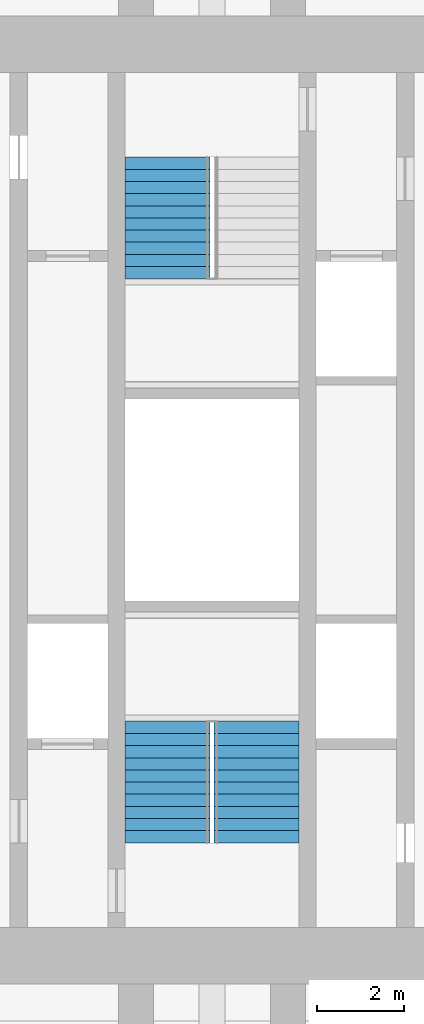
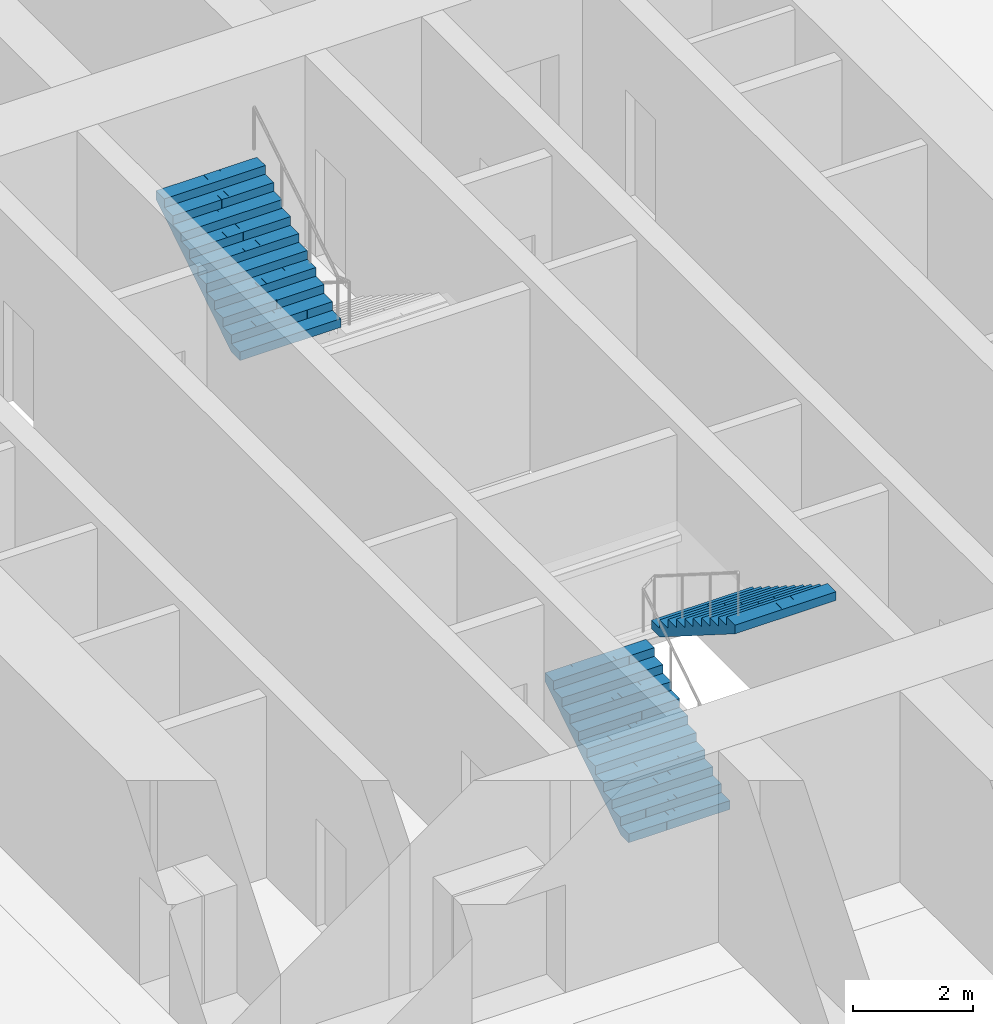
# One storey, part 20 of 22: 3 stair flights, 2 elements without a shape of their own.
"""IFC4 building model written with IfcOpenShell, lengths in metres."""

from ifc_helpers import new_model, si_unit, direction, frame, origin, place, context, subcontext, project, spatial, polyline, outline, extrude, material, type_object, element, aggregate, save


model = new_model("IFC4")

# Units and contexts
model_context = context("Model", 3, precision=1e-05, world=origin(), true_north=direction((0.0, 1.0)))
body_context = subcontext(model_context, "Body", "Model", "MODEL_VIEW")
ifc_project = project(units=[si_unit("LENGTHUNIT", "METRE"), si_unit("AREAUNIT", "SQUARE_METRE"), si_unit("VOLUMEUNIT", "CUBIC_METRE"), si_unit("PLANEANGLEUNIT", "RADIAN"), si_unit("MASSUNIT", "GRAM", prefix="KILO")], contexts=[model_context])

# Site, building, storey
site_placement = place(None, origin())
site = spatial("IfcSite", under=ifc_project, at=site_placement, CompositionType="ELEMENT")
building_placement = place(site_placement, origin())
building = spatial("IfcBuilding", under=site, at=building_placement, Name="Mizan Broadcast Tower", CompositionType="ELEMENT")
storey_placement = place(building_placement, frame((0.0, 0.0, 74.699951171875)))
storey = spatial("IfcBuildingStorey", under=building, at=storey_placement, Name="L15", CompositionType="ELEMENT", Elevation=74.699951171875)

# Stair, stair flights
ifc_material_1 = material(Name="Concrete C40/50", Category="concrete")
stair_type = type_object("IfcStairType", Name="EXIT STAIR", PredefinedType="HALF_TURN_STAIR", material=ifc_material_1)
stair_1_placement = place(storey_placement, origin())
stair_1 = element("IfcStair", 1, at=stair_1_placement, inside=storey, type_object=stair_type, Name="Stair A L15", PredefinedType="HALF_TURN_STAIR")
ifc_material_2 = material(Name="Concrete C40/50", Category="concrete")
stair_flight_type = type_object("IfcStairFlightType", Name="EXIT STAIR FLIGHT", PredefinedType="STRAIGHT", material=ifc_material_2)
stair_flight_1_placement = place(storey_placement, frame((-1.02490234375, -7.89990234375, 0.0), z_axis=(0.0, 0.0, 1.0), x_axis=(0.0, 1.0, 0.0)))
stair_flight_1 = element("IfcStairFlight", 2, at=stair_flight_1_placement, type_object=stair_flight_type, Name="A flight 1", NumberOfRisers=11, NumberOfTreads=10, PredefinedType="STRAIGHT", RiserHeight=0.177272727, TreadLength=0.28, context=body_context, shape_type="SweptSolid", body=[
    extrude(outline(polyline([(0.0, 0.0), (0.0, 0.17724609375), (0.280029296875, 0.17724609375), (0.280029296875, 0.3544921875), (0.56005859375, 0.3544921875), (0.56005859375, 0.53173828125), (0.840087890625, 0.53173828125), (0.840087890625, 0.708984375), (1.1201171875, 0.708984375), (1.1201171875, 0.886474609375), (1.39990234375, 0.886474609375), (1.39990234375, 1.063720703125), (1.679931640625, 1.063720703125), (1.679931640625, 1.240966796875), (1.9599609375, 1.240966796875), (1.9599609375, 1.418212890625), (2.239990234375, 1.418212890625), (2.239990234375, 1.595458984375), (2.52001953125, 1.595458984375), (2.52001953125, 1.772705078125), (2.800048828125, 1.772705078125), (2.800048828125, 1.949951171875), (2.800048828125, 1.59521484375), (0.2802734375, 0.0), (0.0, 0.0)])), frame((0.0, 0.97509765625, 0.0), z_axis=(0.0, -1.0, 0.0), x_axis=(1.0, 0.0, 0.0)), (0.0, 0.0, 1.0), 0.4873046875),
    extrude(outline(polyline([(0.0, 0.0), (0.0, 0.17724609375), (0.280029296875, 0.17724609375), (0.280029296875, 0.3544921875), (0.56005859375, 0.3544921875), (0.56005859375, 0.53173828125), (0.840087890625, 0.53173828125), (0.840087890625, 0.708984375), (1.1201171875, 0.708984375), (1.1201171875, 0.886474609375), (1.39990234375, 0.886474609375), (1.39990234375, 1.063720703125), (1.679931640625, 1.063720703125), (1.679931640625, 1.240966796875), (1.9599609375, 1.240966796875), (1.9599609375, 1.418212890625), (2.239990234375, 1.418212890625), (2.239990234375, 1.595458984375), (2.52001953125, 1.595458984375), (2.52001953125, 1.772705078125), (2.800048828125, 1.772705078125), (2.800048828125, 1.949951171875), (2.800048828125, 1.59521484375), (0.2802734375, 0.0), (0.0, 0.0)])), frame((0.0, 0.4873046875, 0.0), z_axis=(0.0, -1.0, 0.0), x_axis=(1.0, 0.0, 0.0)), (0.0, 0.0, 1.0), 0.2431640625),
    extrude(outline(polyline([(0.0, 0.0), (0.0, 0.17724609375), (0.280029296875, 0.17724609375), (0.280029296875, 0.3544921875), (0.56005859375, 0.3544921875), (0.56005859375, 0.53173828125), (0.840087890625, 0.53173828125), (0.840087890625, 0.708984375), (1.1201171875, 0.708984375), (1.1201171875, 0.886474609375), (1.39990234375, 0.886474609375), (1.39990234375, 1.063720703125), (1.679931640625, 1.063720703125), (1.679931640625, 1.240966796875), (1.9599609375, 1.240966796875), (1.9599609375, 1.418212890625), (2.239990234375, 1.418212890625), (2.239990234375, 1.595458984375), (2.52001953125, 1.595458984375), (2.52001953125, 1.772705078125), (2.800048828125, 1.772705078125), (2.800048828125, 1.949951171875), (2.800048828125, 1.59521484375), (0.2802734375, 0.0), (0.0, 0.0)])), frame((0.0, 0.24365234375, 0.0), z_axis=(0.0, -1.0, 0.0), x_axis=(1.0, 0.0, 0.0)), (0.0, 0.0, 1.0), 0.121337890625),
    extrude(outline(polyline([(0.0, 0.0), (0.0, 0.17724609375), (0.280029296875, 0.17724609375), (0.280029296875, 0.3544921875), (0.56005859375, 0.3544921875), (0.56005859375, 0.53173828125), (0.840087890625, 0.53173828125), (0.840087890625, 0.708984375), (1.1201171875, 0.708984375), (1.1201171875, 0.886474609375), (1.39990234375, 0.886474609375), (1.39990234375, 1.063720703125), (1.679931640625, 1.063720703125), (1.679931640625, 1.240966796875), (1.9599609375, 1.240966796875), (1.9599609375, 1.418212890625), (2.239990234375, 1.418212890625), (2.239990234375, 1.595458984375), (2.52001953125, 1.595458984375), (2.52001953125, 1.772705078125), (2.800048828125, 1.772705078125), (2.800048828125, 1.949951171875), (2.800048828125, 1.59521484375), (0.2802734375, 0.0), (0.0, 0.0)])), frame((0.0, 0.121826171875, 0.0), z_axis=(0.0, -1.0, 0.0), x_axis=(1.0, 0.0, 0.0)), (0.0, 0.0, 1.0), 0.060546875),
    extrude(outline(polyline([(0.0, 0.0), (0.0, 0.17724609375), (0.280029296875, 0.17724609375), (0.280029296875, 0.3544921875), (0.56005859375, 0.3544921875), (0.56005859375, 0.53173828125), (0.840087890625, 0.53173828125), (0.840087890625, 0.708984375), (1.1201171875, 0.708984375), (1.1201171875, 0.886474609375), (1.39990234375, 0.886474609375), (1.39990234375, 1.063720703125), (1.679931640625, 1.063720703125), (1.679931640625, 1.240966796875), (1.9599609375, 1.240966796875), (1.9599609375, 1.418212890625), (2.239990234375, 1.418212890625), (2.239990234375, 1.595458984375), (2.52001953125, 1.595458984375), (2.52001953125, 1.772705078125), (2.800048828125, 1.772705078125), (2.800048828125, 1.949951171875), (2.800048828125, 1.59521484375), (0.2802734375, 0.0), (0.0, 0.0)])), frame((0.0, 0.060791015625, 0.0), z_axis=(0.0, -1.0, 0.0), x_axis=(1.0, 0.0, 0.0)), (0.0, 0.0, 1.0), 0.030029296875),
    extrude(outline(polyline([(0.0, 0.0), (0.0, 0.17724609375), (0.280029296875, 0.17724609375), (0.280029296875, 0.3544921875), (0.56005859375, 0.3544921875), (0.56005859375, 0.53173828125), (0.840087890625, 0.53173828125), (0.840087890625, 0.708984375), (1.1201171875, 0.708984375), (1.1201171875, 0.886474609375), (1.39990234375, 0.886474609375), (1.39990234375, 1.063720703125), (1.679931640625, 1.063720703125), (1.679931640625, 1.240966796875), (1.9599609375, 1.240966796875), (1.9599609375, 1.418212890625), (2.239990234375, 1.418212890625), (2.239990234375, 1.595458984375), (2.52001953125, 1.595458984375), (2.52001953125, 1.772705078125), (2.800048828125, 1.772705078125), (2.800048828125, 1.949951171875), (2.800048828125, 1.59521484375), (0.2802734375, 0.0), (0.0, 0.0)])), frame((0.0, 0.0302734375, 0.0), z_axis=(0.0, -1.0, 0.0), x_axis=(1.0, 0.0, 0.0)), (0.0, 0.0, 1.0), 0.060302734375),
    extrude(outline(polyline([(0.0, 0.0), (0.0, 0.17724609375), (0.280029296875, 0.17724609375), (0.280029296875, 0.3544921875), (0.56005859375, 0.3544921875), (0.56005859375, 0.53173828125), (0.840087890625, 0.53173828125), (0.840087890625, 0.708984375), (1.1201171875, 0.708984375), (1.1201171875, 0.886474609375), (1.39990234375, 0.886474609375), (1.39990234375, 1.063720703125), (1.679931640625, 1.063720703125), (1.679931640625, 1.240966796875), (1.9599609375, 1.240966796875), (1.9599609375, 1.418212890625), (2.239990234375, 1.418212890625), (2.239990234375, 1.595458984375), (2.52001953125, 1.595458984375), (2.52001953125, 1.772705078125), (2.800048828125, 1.772705078125), (2.800048828125, 1.949951171875), (2.800048828125, 1.59521484375), (0.2802734375, 0.0), (0.0, 0.0)])), frame((0.0, -0.030517578125, 0.0), z_axis=(0.0, -1.0, 0.0), x_axis=(1.0, 0.0, 0.0)), (0.0, 0.0, 1.0), 0.030029296875),
    extrude(outline(polyline([(0.0, 0.0), (0.0, 0.17724609375), (0.280029296875, 0.17724609375), (0.280029296875, 0.3544921875), (0.56005859375, 0.3544921875), (0.56005859375, 0.53173828125), (0.840087890625, 0.53173828125), (0.840087890625, 0.708984375), (1.1201171875, 0.708984375), (1.1201171875, 0.886474609375), (1.39990234375, 0.886474609375), (1.39990234375, 1.063720703125), (1.679931640625, 1.063720703125), (1.679931640625, 1.240966796875), (1.9599609375, 1.240966796875), (1.9599609375, 1.418212890625), (2.239990234375, 1.418212890625), (2.239990234375, 1.595458984375), (2.52001953125, 1.595458984375), (2.52001953125, 1.772705078125), (2.800048828125, 1.772705078125), (2.800048828125, 1.949951171875), (2.800048828125, 1.59521484375), (0.2802734375, 0.0), (0.0, 0.0)])), frame((0.0, -0.06103515625, 0.0), z_axis=(0.0, -1.0, 0.0), x_axis=(1.0, 0.0, 0.0)), (0.0, 0.0, 1.0), 0.060546875),
    extrude(outline(polyline([(0.0, 0.0), (0.0, 0.17724609375), (0.280029296875, 0.17724609375), (0.280029296875, 0.3544921875), (0.56005859375, 0.3544921875), (0.56005859375, 0.53173828125), (0.840087890625, 0.53173828125), (0.840087890625, 0.708984375), (1.1201171875, 0.708984375), (1.1201171875, 0.886474609375), (1.39990234375, 0.886474609375), (1.39990234375, 1.063720703125), (1.679931640625, 1.063720703125), (1.679931640625, 1.240966796875), (1.9599609375, 1.240966796875), (1.9599609375, 1.418212890625), (2.239990234375, 1.418212890625), (2.239990234375, 1.595458984375), (2.52001953125, 1.595458984375), (2.52001953125, 1.772705078125), (2.800048828125, 1.772705078125), (2.800048828125, 1.949951171875), (2.800048828125, 1.59521484375), (0.2802734375, 0.0), (0.0, 0.0)])), frame((0.0, -0.1220703125, 0.0), z_axis=(0.0, -1.0, 0.0), x_axis=(1.0, 0.0, 0.0)), (0.0, 0.0, 1.0), 0.121337890625),
    extrude(outline(polyline([(0.0, 0.0), (0.0, 0.17724609375), (0.280029296875, 0.17724609375), (0.280029296875, 0.3544921875), (0.56005859375, 0.3544921875), (0.56005859375, 0.53173828125), (0.840087890625, 0.53173828125), (0.840087890625, 0.708984375), (1.1201171875, 0.708984375), (1.1201171875, 0.886474609375), (1.39990234375, 0.886474609375), (1.39990234375, 1.063720703125), (1.679931640625, 1.063720703125), (1.679931640625, 1.240966796875), (1.9599609375, 1.240966796875), (1.9599609375, 1.418212890625), (2.239990234375, 1.418212890625), (2.239990234375, 1.595458984375), (2.52001953125, 1.595458984375), (2.52001953125, 1.772705078125), (2.800048828125, 1.772705078125), (2.800048828125, 1.949951171875), (2.800048828125, 1.59521484375), (0.2802734375, 0.0), (0.0, 0.0)])), frame((0.0, -0.243896484375, 0.0), z_axis=(0.0, -1.0, 0.0), x_axis=(1.0, 0.0, 0.0)), (0.0, 0.0, 1.0), 0.2431640625),
    extrude(outline(polyline([(0.0, 0.0), (0.0, 0.17724609375), (0.280029296875, 0.17724609375), (0.280029296875, 0.3544921875), (0.56005859375, 0.3544921875), (0.56005859375, 0.53173828125), (0.840087890625, 0.53173828125), (0.840087890625, 0.708984375), (1.1201171875, 0.708984375), (1.1201171875, 0.886474609375), (1.39990234375, 0.886474609375), (1.39990234375, 1.063720703125), (1.679931640625, 1.063720703125), (1.679931640625, 1.240966796875), (1.9599609375, 1.240966796875), (1.9599609375, 1.418212890625), (2.239990234375, 1.418212890625), (2.239990234375, 1.595458984375), (2.52001953125, 1.595458984375), (2.52001953125, 1.772705078125), (2.800048828125, 1.772705078125), (2.800048828125, 1.949951171875), (2.800048828125, 1.59521484375), (0.2802734375, 0.0), (0.0, 0.0)])), frame((0.0, -0.487548828125, 0.0), z_axis=(0.0, -1.0, 0.0), x_axis=(1.0, 0.0, 0.0)), (0.0, 0.0, 1.0), 0.4873046875),
])
stair_flight_2_placement = place(storey_placement, frame((1.02490234375, -5.10009765625, 1.949951171875), z_axis=(0.0, 0.0, 1.0), x_axis=(0.0, -1.0, 0.0)))
stair_flight_2 = element("IfcStairFlight", 3, at=stair_flight_2_placement, type_object=stair_flight_type, Name="A flight 2", NumberOfRisers=11, NumberOfTreads=10, PredefinedType="STRAIGHT", RiserHeight=0.177272727, TreadLength=0.28, context=body_context, shape_type="SweptSolid", body=[
    extrude(outline(polyline([(0.0, 0.0), (0.0, 0.17724609375), (0.280029296875, 0.17724609375), (0.280029296875, 0.3544921875), (0.56005859375, 0.3544921875), (0.56005859375, 0.53173828125), (0.840087890625, 0.53173828125), (0.840087890625, 0.708984375), (1.1201171875, 0.708984375), (1.1201171875, 0.886474609375), (1.39990234375, 0.886474609375), (1.39990234375, 1.063720703125), (1.679931640625, 1.063720703125), (1.679931640625, 1.240966796875), (1.9599609375, 1.240966796875), (1.9599609375, 1.418212890625), (2.239990234375, 1.418212890625), (2.239990234375, 1.595458984375), (2.52001953125, 1.595458984375), (2.52001953125, 1.772705078125), (2.800048828125, 1.772705078125), (2.800048828125, 1.949951171875), (2.800048828125, 1.59521484375), (0.2802734375, 0.0), (0.0, 0.0)])), frame((0.0, 0.97509765625, 0.0), z_axis=(0.0, -1.0, 0.0), x_axis=(1.0, 0.0, 0.0)), (0.0, 0.0, 1.0), 0.4873046875),
    extrude(outline(polyline([(0.0, 0.0), (0.0, 0.17724609375), (0.280029296875, 0.17724609375), (0.280029296875, 0.3544921875), (0.56005859375, 0.3544921875), (0.56005859375, 0.53173828125), (0.840087890625, 0.53173828125), (0.840087890625, 0.708984375), (1.1201171875, 0.708984375), (1.1201171875, 0.886474609375), (1.39990234375, 0.886474609375), (1.39990234375, 1.063720703125), (1.679931640625, 1.063720703125), (1.679931640625, 1.240966796875), (1.9599609375, 1.240966796875), (1.9599609375, 1.418212890625), (2.239990234375, 1.418212890625), (2.239990234375, 1.595458984375), (2.52001953125, 1.595458984375), (2.52001953125, 1.772705078125), (2.800048828125, 1.772705078125), (2.800048828125, 1.949951171875), (2.800048828125, 1.59521484375), (0.2802734375, 0.0), (0.0, 0.0)])), frame((0.0, 0.4873046875, 0.0), z_axis=(0.0, -1.0, 0.0), x_axis=(1.0, 0.0, 0.0)), (0.0, 0.0, 1.0), 0.2431640625),
    extrude(outline(polyline([(0.0, 0.0), (0.0, 0.17724609375), (0.280029296875, 0.17724609375), (0.280029296875, 0.3544921875), (0.56005859375, 0.3544921875), (0.56005859375, 0.53173828125), (0.840087890625, 0.53173828125), (0.840087890625, 0.708984375), (1.1201171875, 0.708984375), (1.1201171875, 0.886474609375), (1.39990234375, 0.886474609375), (1.39990234375, 1.063720703125), (1.679931640625, 1.063720703125), (1.679931640625, 1.240966796875), (1.9599609375, 1.240966796875), (1.9599609375, 1.418212890625), (2.239990234375, 1.418212890625), (2.239990234375, 1.595458984375), (2.52001953125, 1.595458984375), (2.52001953125, 1.772705078125), (2.800048828125, 1.772705078125), (2.800048828125, 1.949951171875), (2.800048828125, 1.59521484375), (0.2802734375, 0.0), (0.0, 0.0)])), frame((0.0, 0.24365234375, 0.0), z_axis=(0.0, -1.0, 0.0), x_axis=(1.0, 0.0, 0.0)), (0.0, 0.0, 1.0), 0.121337890625),
    extrude(outline(polyline([(0.0, 0.0), (0.0, 0.17724609375), (0.280029296875, 0.17724609375), (0.280029296875, 0.3544921875), (0.56005859375, 0.3544921875), (0.56005859375, 0.53173828125), (0.840087890625, 0.53173828125), (0.840087890625, 0.708984375), (1.1201171875, 0.708984375), (1.1201171875, 0.886474609375), (1.39990234375, 0.886474609375), (1.39990234375, 1.063720703125), (1.679931640625, 1.063720703125), (1.679931640625, 1.240966796875), (1.9599609375, 1.240966796875), (1.9599609375, 1.418212890625), (2.239990234375, 1.418212890625), (2.239990234375, 1.595458984375), (2.52001953125, 1.595458984375), (2.52001953125, 1.772705078125), (2.800048828125, 1.772705078125), (2.800048828125, 1.949951171875), (2.800048828125, 1.59521484375), (0.2802734375, 0.0), (0.0, 0.0)])), frame((0.0, 0.121826171875, 0.0), z_axis=(0.0, -1.0, 0.0), x_axis=(1.0, 0.0, 0.0)), (0.0, 0.0, 1.0), 0.060546875),
    extrude(outline(polyline([(0.0, 0.0), (0.0, 0.17724609375), (0.280029296875, 0.17724609375), (0.280029296875, 0.3544921875), (0.56005859375, 0.3544921875), (0.56005859375, 0.53173828125), (0.840087890625, 0.53173828125), (0.840087890625, 0.708984375), (1.1201171875, 0.708984375), (1.1201171875, 0.886474609375), (1.39990234375, 0.886474609375), (1.39990234375, 1.063720703125), (1.679931640625, 1.063720703125), (1.679931640625, 1.240966796875), (1.9599609375, 1.240966796875), (1.9599609375, 1.418212890625), (2.239990234375, 1.418212890625), (2.239990234375, 1.595458984375), (2.52001953125, 1.595458984375), (2.52001953125, 1.772705078125), (2.800048828125, 1.772705078125), (2.800048828125, 1.949951171875), (2.800048828125, 1.59521484375), (0.2802734375, 0.0), (0.0, 0.0)])), frame((0.0, 0.060791015625, 0.0), z_axis=(0.0, -1.0, 0.0), x_axis=(1.0, 0.0, 0.0)), (0.0, 0.0, 1.0), 0.030029296875),
    extrude(outline(polyline([(0.0, 0.0), (0.0, 0.17724609375), (0.280029296875, 0.17724609375), (0.280029296875, 0.3544921875), (0.56005859375, 0.3544921875), (0.56005859375, 0.53173828125), (0.840087890625, 0.53173828125), (0.840087890625, 0.708984375), (1.1201171875, 0.708984375), (1.1201171875, 0.886474609375), (1.39990234375, 0.886474609375), (1.39990234375, 1.063720703125), (1.679931640625, 1.063720703125), (1.679931640625, 1.240966796875), (1.9599609375, 1.240966796875), (1.9599609375, 1.418212890625), (2.239990234375, 1.418212890625), (2.239990234375, 1.595458984375), (2.52001953125, 1.595458984375), (2.52001953125, 1.772705078125), (2.800048828125, 1.772705078125), (2.800048828125, 1.949951171875), (2.800048828125, 1.59521484375), (0.2802734375, 0.0), (0.0, 0.0)])), frame((0.0, 0.0302734375, 0.0), z_axis=(0.0, -1.0, 0.0), x_axis=(1.0, 0.0, 0.0)), (0.0, 0.0, 1.0), 0.060302734375),
    extrude(outline(polyline([(0.0, 0.0), (0.0, 0.17724609375), (0.280029296875, 0.17724609375), (0.280029296875, 0.3544921875), (0.56005859375, 0.3544921875), (0.56005859375, 0.53173828125), (0.840087890625, 0.53173828125), (0.840087890625, 0.708984375), (1.1201171875, 0.708984375), (1.1201171875, 0.886474609375), (1.39990234375, 0.886474609375), (1.39990234375, 1.063720703125), (1.679931640625, 1.063720703125), (1.679931640625, 1.240966796875), (1.9599609375, 1.240966796875), (1.9599609375, 1.418212890625), (2.239990234375, 1.418212890625), (2.239990234375, 1.595458984375), (2.52001953125, 1.595458984375), (2.52001953125, 1.772705078125), (2.800048828125, 1.772705078125), (2.800048828125, 1.949951171875), (2.800048828125, 1.59521484375), (0.2802734375, 0.0), (0.0, 0.0)])), frame((0.0, -0.030517578125, 0.0), z_axis=(0.0, -1.0, 0.0), x_axis=(1.0, 0.0, 0.0)), (0.0, 0.0, 1.0), 0.030029296875),
    extrude(outline(polyline([(0.0, 0.0), (0.0, 0.17724609375), (0.280029296875, 0.17724609375), (0.280029296875, 0.3544921875), (0.56005859375, 0.3544921875), (0.56005859375, 0.53173828125), (0.840087890625, 0.53173828125), (0.840087890625, 0.708984375), (1.1201171875, 0.708984375), (1.1201171875, 0.886474609375), (1.39990234375, 0.886474609375), (1.39990234375, 1.063720703125), (1.679931640625, 1.063720703125), (1.679931640625, 1.240966796875), (1.9599609375, 1.240966796875), (1.9599609375, 1.418212890625), (2.239990234375, 1.418212890625), (2.239990234375, 1.595458984375), (2.52001953125, 1.595458984375), (2.52001953125, 1.772705078125), (2.800048828125, 1.772705078125), (2.800048828125, 1.949951171875), (2.800048828125, 1.59521484375), (0.2802734375, 0.0), (0.0, 0.0)])), frame((0.0, -0.06103515625, 0.0), z_axis=(0.0, -1.0, 0.0), x_axis=(1.0, 0.0, 0.0)), (0.0, 0.0, 1.0), 0.060546875),
    extrude(outline(polyline([(0.0, 0.0), (0.0, 0.17724609375), (0.280029296875, 0.17724609375), (0.280029296875, 0.3544921875), (0.56005859375, 0.3544921875), (0.56005859375, 0.53173828125), (0.840087890625, 0.53173828125), (0.840087890625, 0.708984375), (1.1201171875, 0.708984375), (1.1201171875, 0.886474609375), (1.39990234375, 0.886474609375), (1.39990234375, 1.063720703125), (1.679931640625, 1.063720703125), (1.679931640625, 1.240966796875), (1.9599609375, 1.240966796875), (1.9599609375, 1.418212890625), (2.239990234375, 1.418212890625), (2.239990234375, 1.595458984375), (2.52001953125, 1.595458984375), (2.52001953125, 1.772705078125), (2.800048828125, 1.772705078125), (2.800048828125, 1.949951171875), (2.800048828125, 1.59521484375), (0.2802734375, 0.0), (0.0, 0.0)])), frame((0.0, -0.1220703125, 0.0), z_axis=(0.0, -1.0, 0.0), x_axis=(1.0, 0.0, 0.0)), (0.0, 0.0, 1.0), 0.121337890625),
    extrude(outline(polyline([(0.0, 0.0), (0.0, 0.17724609375), (0.280029296875, 0.17724609375), (0.280029296875, 0.3544921875), (0.56005859375, 0.3544921875), (0.56005859375, 0.53173828125), (0.840087890625, 0.53173828125), (0.840087890625, 0.708984375), (1.1201171875, 0.708984375), (1.1201171875, 0.886474609375), (1.39990234375, 0.886474609375), (1.39990234375, 1.063720703125), (1.679931640625, 1.063720703125), (1.679931640625, 1.240966796875), (1.9599609375, 1.240966796875), (1.9599609375, 1.418212890625), (2.239990234375, 1.418212890625), (2.239990234375, 1.595458984375), (2.52001953125, 1.595458984375), (2.52001953125, 1.772705078125), (2.800048828125, 1.772705078125), (2.800048828125, 1.949951171875), (2.800048828125, 1.59521484375), (0.2802734375, 0.0), (0.0, 0.0)])), frame((0.0, -0.243896484375, 0.0), z_axis=(0.0, -1.0, 0.0), x_axis=(1.0, 0.0, 0.0)), (0.0, 0.0, 1.0), 0.2431640625),
    extrude(outline(polyline([(0.0, 0.0), (0.0, 0.17724609375), (0.280029296875, 0.17724609375), (0.280029296875, 0.3544921875), (0.56005859375, 0.3544921875), (0.56005859375, 0.53173828125), (0.840087890625, 0.53173828125), (0.840087890625, 0.708984375), (1.1201171875, 0.708984375), (1.1201171875, 0.886474609375), (1.39990234375, 0.886474609375), (1.39990234375, 1.063720703125), (1.679931640625, 1.063720703125), (1.679931640625, 1.240966796875), (1.9599609375, 1.240966796875), (1.9599609375, 1.418212890625), (2.239990234375, 1.418212890625), (2.239990234375, 1.595458984375), (2.52001953125, 1.595458984375), (2.52001953125, 1.772705078125), (2.800048828125, 1.772705078125), (2.800048828125, 1.949951171875), (2.800048828125, 1.59521484375), (0.2802734375, 0.0), (0.0, 0.0)])), frame((0.0, -0.487548828125, 0.0), z_axis=(0.0, -1.0, 0.0), x_axis=(1.0, 0.0, 0.0)), (0.0, 0.0, 1.0), 0.4873046875),
])
aggregate(stair_1, [stair_flight_1, stair_flight_2])

# Stair, stair flight
stair_2_placement = place(storey_placement, origin())
stair_2 = element("IfcStair", 4, at=stair_2_placement, inside=storey, type_object=stair_type, Name="Stair B L15", PredefinedType="HALF_TURN_STAIR")
stair_flight_3_placement = place(storey_placement, frame((-1.02490234375, 5.10009765625, 1.949951171875), z_axis=(0.0, 0.0, 1.0), x_axis=(0.0, 1.0, 0.0)))
stair_flight_3 = element("IfcStairFlight", 5, at=stair_flight_3_placement, type_object=stair_flight_type, Name="B flight 2", NumberOfRisers=11, NumberOfTreads=10, PredefinedType="STRAIGHT", RiserHeight=0.177272727, TreadLength=0.28, context=body_context, shape_type="SweptSolid", body=[
    extrude(outline(polyline([(0.0, 0.0), (0.0, 0.17724609375), (0.280029296875, 0.17724609375), (0.280029296875, 0.3544921875), (0.56005859375, 0.3544921875), (0.56005859375, 0.53173828125), (0.840087890625, 0.53173828125), (0.840087890625, 0.708984375), (1.1201171875, 0.708984375), (1.1201171875, 0.886474609375), (1.39990234375, 0.886474609375), (1.39990234375, 1.063720703125), (1.679931640625, 1.063720703125), (1.679931640625, 1.240966796875), (1.9599609375, 1.240966796875), (1.9599609375, 1.418212890625), (2.239990234375, 1.418212890625), (2.239990234375, 1.595458984375), (2.52001953125, 1.595458984375), (2.52001953125, 1.772705078125), (2.800048828125, 1.772705078125), (2.800048828125, 1.949951171875), (2.800048828125, 1.59521484375), (0.2802734375, 0.0), (0.0, 0.0)])), frame((0.0, 0.97509765625, 0.0), z_axis=(0.0, -1.0, 0.0), x_axis=(1.0, 0.0, 0.0)), (0.0, 0.0, 1.0), 0.4873046875),
    extrude(outline(polyline([(0.0, 0.0), (0.0, 0.17724609375), (0.280029296875, 0.17724609375), (0.280029296875, 0.3544921875), (0.56005859375, 0.3544921875), (0.56005859375, 0.53173828125), (0.840087890625, 0.53173828125), (0.840087890625, 0.708984375), (1.1201171875, 0.708984375), (1.1201171875, 0.886474609375), (1.39990234375, 0.886474609375), (1.39990234375, 1.063720703125), (1.679931640625, 1.063720703125), (1.679931640625, 1.240966796875), (1.9599609375, 1.240966796875), (1.9599609375, 1.418212890625), (2.239990234375, 1.418212890625), (2.239990234375, 1.595458984375), (2.52001953125, 1.595458984375), (2.52001953125, 1.772705078125), (2.800048828125, 1.772705078125), (2.800048828125, 1.949951171875), (2.800048828125, 1.59521484375), (0.2802734375, 0.0), (0.0, 0.0)])), frame((0.0, 0.4873046875, 0.0), z_axis=(0.0, -1.0, 0.0), x_axis=(1.0, 0.0, 0.0)), (0.0, 0.0, 1.0), 0.2431640625),
    extrude(outline(polyline([(0.0, 0.0), (0.0, 0.17724609375), (0.280029296875, 0.17724609375), (0.280029296875, 0.3544921875), (0.56005859375, 0.3544921875), (0.56005859375, 0.53173828125), (0.840087890625, 0.53173828125), (0.840087890625, 0.708984375), (1.1201171875, 0.708984375), (1.1201171875, 0.886474609375), (1.39990234375, 0.886474609375), (1.39990234375, 1.063720703125), (1.679931640625, 1.063720703125), (1.679931640625, 1.240966796875), (1.9599609375, 1.240966796875), (1.9599609375, 1.418212890625), (2.239990234375, 1.418212890625), (2.239990234375, 1.595458984375), (2.52001953125, 1.595458984375), (2.52001953125, 1.772705078125), (2.800048828125, 1.772705078125), (2.800048828125, 1.949951171875), (2.800048828125, 1.59521484375), (0.2802734375, 0.0), (0.0, 0.0)])), frame((0.0, 0.24365234375, 0.0), z_axis=(0.0, -1.0, 0.0), x_axis=(1.0, 0.0, 0.0)), (0.0, 0.0, 1.0), 0.121337890625),
    extrude(outline(polyline([(0.0, 0.0), (0.0, 0.17724609375), (0.280029296875, 0.17724609375), (0.280029296875, 0.3544921875), (0.56005859375, 0.3544921875), (0.56005859375, 0.53173828125), (0.840087890625, 0.53173828125), (0.840087890625, 0.708984375), (1.1201171875, 0.708984375), (1.1201171875, 0.886474609375), (1.39990234375, 0.886474609375), (1.39990234375, 1.063720703125), (1.679931640625, 1.063720703125), (1.679931640625, 1.240966796875), (1.9599609375, 1.240966796875), (1.9599609375, 1.418212890625), (2.239990234375, 1.418212890625), (2.239990234375, 1.595458984375), (2.52001953125, 1.595458984375), (2.52001953125, 1.772705078125), (2.800048828125, 1.772705078125), (2.800048828125, 1.949951171875), (2.800048828125, 1.59521484375), (0.2802734375, 0.0), (0.0, 0.0)])), frame((0.0, 0.121826171875, 0.0), z_axis=(0.0, -1.0, 0.0), x_axis=(1.0, 0.0, 0.0)), (0.0, 0.0, 1.0), 0.060546875),
    extrude(outline(polyline([(0.0, 0.0), (0.0, 0.17724609375), (0.280029296875, 0.17724609375), (0.280029296875, 0.3544921875), (0.56005859375, 0.3544921875), (0.56005859375, 0.53173828125), (0.840087890625, 0.53173828125), (0.840087890625, 0.708984375), (1.1201171875, 0.708984375), (1.1201171875, 0.886474609375), (1.39990234375, 0.886474609375), (1.39990234375, 1.063720703125), (1.679931640625, 1.063720703125), (1.679931640625, 1.240966796875), (1.9599609375, 1.240966796875), (1.9599609375, 1.418212890625), (2.239990234375, 1.418212890625), (2.239990234375, 1.595458984375), (2.52001953125, 1.595458984375), (2.52001953125, 1.772705078125), (2.800048828125, 1.772705078125), (2.800048828125, 1.949951171875), (2.800048828125, 1.59521484375), (0.2802734375, 0.0), (0.0, 0.0)])), frame((0.0, 0.060791015625, 0.0), z_axis=(0.0, -1.0, 0.0), x_axis=(1.0, 0.0, 0.0)), (0.0, 0.0, 1.0), 0.030029296875),
    extrude(outline(polyline([(0.0, 0.0), (0.0, 0.17724609375), (0.280029296875, 0.17724609375), (0.280029296875, 0.3544921875), (0.56005859375, 0.3544921875), (0.56005859375, 0.53173828125), (0.840087890625, 0.53173828125), (0.840087890625, 0.708984375), (1.1201171875, 0.708984375), (1.1201171875, 0.886474609375), (1.39990234375, 0.886474609375), (1.39990234375, 1.063720703125), (1.679931640625, 1.063720703125), (1.679931640625, 1.240966796875), (1.9599609375, 1.240966796875), (1.9599609375, 1.418212890625), (2.239990234375, 1.418212890625), (2.239990234375, 1.595458984375), (2.52001953125, 1.595458984375), (2.52001953125, 1.772705078125), (2.800048828125, 1.772705078125), (2.800048828125, 1.949951171875), (2.800048828125, 1.59521484375), (0.2802734375, 0.0), (0.0, 0.0)])), frame((0.0, 0.0302734375, 0.0), z_axis=(0.0, -1.0, 0.0), x_axis=(1.0, 0.0, 0.0)), (0.0, 0.0, 1.0), 0.060302734375),
    extrude(outline(polyline([(0.0, 0.0), (0.0, 0.17724609375), (0.280029296875, 0.17724609375), (0.280029296875, 0.3544921875), (0.56005859375, 0.3544921875), (0.56005859375, 0.53173828125), (0.840087890625, 0.53173828125), (0.840087890625, 0.708984375), (1.1201171875, 0.708984375), (1.1201171875, 0.886474609375), (1.39990234375, 0.886474609375), (1.39990234375, 1.063720703125), (1.679931640625, 1.063720703125), (1.679931640625, 1.240966796875), (1.9599609375, 1.240966796875), (1.9599609375, 1.418212890625), (2.239990234375, 1.418212890625), (2.239990234375, 1.595458984375), (2.52001953125, 1.595458984375), (2.52001953125, 1.772705078125), (2.800048828125, 1.772705078125), (2.800048828125, 1.949951171875), (2.800048828125, 1.59521484375), (0.2802734375, 0.0), (0.0, 0.0)])), frame((0.0, -0.030517578125, 0.0), z_axis=(0.0, -1.0, 0.0), x_axis=(1.0, 0.0, 0.0)), (0.0, 0.0, 1.0), 0.030029296875),
    extrude(outline(polyline([(0.0, 0.0), (0.0, 0.17724609375), (0.280029296875, 0.17724609375), (0.280029296875, 0.3544921875), (0.56005859375, 0.3544921875), (0.56005859375, 0.53173828125), (0.840087890625, 0.53173828125), (0.840087890625, 0.708984375), (1.1201171875, 0.708984375), (1.1201171875, 0.886474609375), (1.39990234375, 0.886474609375), (1.39990234375, 1.063720703125), (1.679931640625, 1.063720703125), (1.679931640625, 1.240966796875), (1.9599609375, 1.240966796875), (1.9599609375, 1.418212890625), (2.239990234375, 1.418212890625), (2.239990234375, 1.595458984375), (2.52001953125, 1.595458984375), (2.52001953125, 1.772705078125), (2.800048828125, 1.772705078125), (2.800048828125, 1.949951171875), (2.800048828125, 1.59521484375), (0.2802734375, 0.0), (0.0, 0.0)])), frame((0.0, -0.06103515625, 0.0), z_axis=(0.0, -1.0, 0.0), x_axis=(1.0, 0.0, 0.0)), (0.0, 0.0, 1.0), 0.060546875),
    extrude(outline(polyline([(0.0, 0.0), (0.0, 0.17724609375), (0.280029296875, 0.17724609375), (0.280029296875, 0.3544921875), (0.56005859375, 0.3544921875), (0.56005859375, 0.53173828125), (0.840087890625, 0.53173828125), (0.840087890625, 0.708984375), (1.1201171875, 0.708984375), (1.1201171875, 0.886474609375), (1.39990234375, 0.886474609375), (1.39990234375, 1.063720703125), (1.679931640625, 1.063720703125), (1.679931640625, 1.240966796875), (1.9599609375, 1.240966796875), (1.9599609375, 1.418212890625), (2.239990234375, 1.418212890625), (2.239990234375, 1.595458984375), (2.52001953125, 1.595458984375), (2.52001953125, 1.772705078125), (2.800048828125, 1.772705078125), (2.800048828125, 1.949951171875), (2.800048828125, 1.59521484375), (0.2802734375, 0.0), (0.0, 0.0)])), frame((0.0, -0.1220703125, 0.0), z_axis=(0.0, -1.0, 0.0), x_axis=(1.0, 0.0, 0.0)), (0.0, 0.0, 1.0), 0.121337890625),
    extrude(outline(polyline([(0.0, 0.0), (0.0, 0.17724609375), (0.280029296875, 0.17724609375), (0.280029296875, 0.3544921875), (0.56005859375, 0.3544921875), (0.56005859375, 0.53173828125), (0.840087890625, 0.53173828125), (0.840087890625, 0.708984375), (1.1201171875, 0.708984375), (1.1201171875, 0.886474609375), (1.39990234375, 0.886474609375), (1.39990234375, 1.063720703125), (1.679931640625, 1.063720703125), (1.679931640625, 1.240966796875), (1.9599609375, 1.240966796875), (1.9599609375, 1.418212890625), (2.239990234375, 1.418212890625), (2.239990234375, 1.595458984375), (2.52001953125, 1.595458984375), (2.52001953125, 1.772705078125), (2.800048828125, 1.772705078125), (2.800048828125, 1.949951171875), (2.800048828125, 1.59521484375), (0.2802734375, 0.0), (0.0, 0.0)])), frame((0.0, -0.243896484375, 0.0), z_axis=(0.0, -1.0, 0.0), x_axis=(1.0, 0.0, 0.0)), (0.0, 0.0, 1.0), 0.2431640625),
    extrude(outline(polyline([(0.0, 0.0), (0.0, 0.17724609375), (0.280029296875, 0.17724609375), (0.280029296875, 0.3544921875), (0.56005859375, 0.3544921875), (0.56005859375, 0.53173828125), (0.840087890625, 0.53173828125), (0.840087890625, 0.708984375), (1.1201171875, 0.708984375), (1.1201171875, 0.886474609375), (1.39990234375, 0.886474609375), (1.39990234375, 1.063720703125), (1.679931640625, 1.063720703125), (1.679931640625, 1.240966796875), (1.9599609375, 1.240966796875), (1.9599609375, 1.418212890625), (2.239990234375, 1.418212890625), (2.239990234375, 1.595458984375), (2.52001953125, 1.595458984375), (2.52001953125, 1.772705078125), (2.800048828125, 1.772705078125), (2.800048828125, 1.949951171875), (2.800048828125, 1.59521484375), (0.2802734375, 0.0), (0.0, 0.0)])), frame((0.0, -0.487548828125, 0.0), z_axis=(0.0, -1.0, 0.0), x_axis=(1.0, 0.0, 0.0)), (0.0, 0.0, 1.0), 0.4873046875),
])
aggregate(stair_2, [stair_flight_3])

save(model, "model.ifc")
